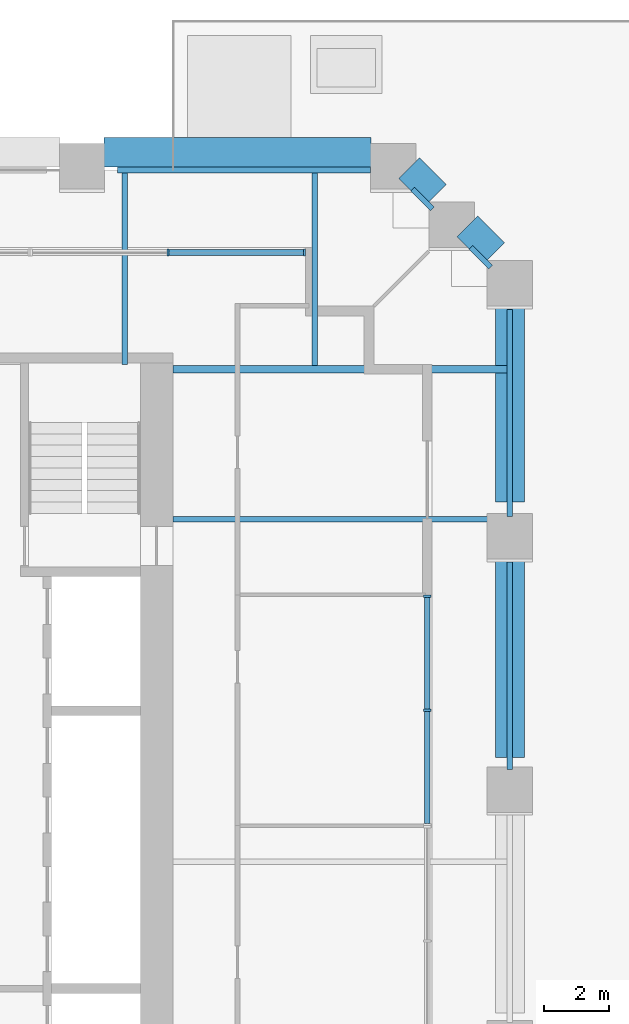
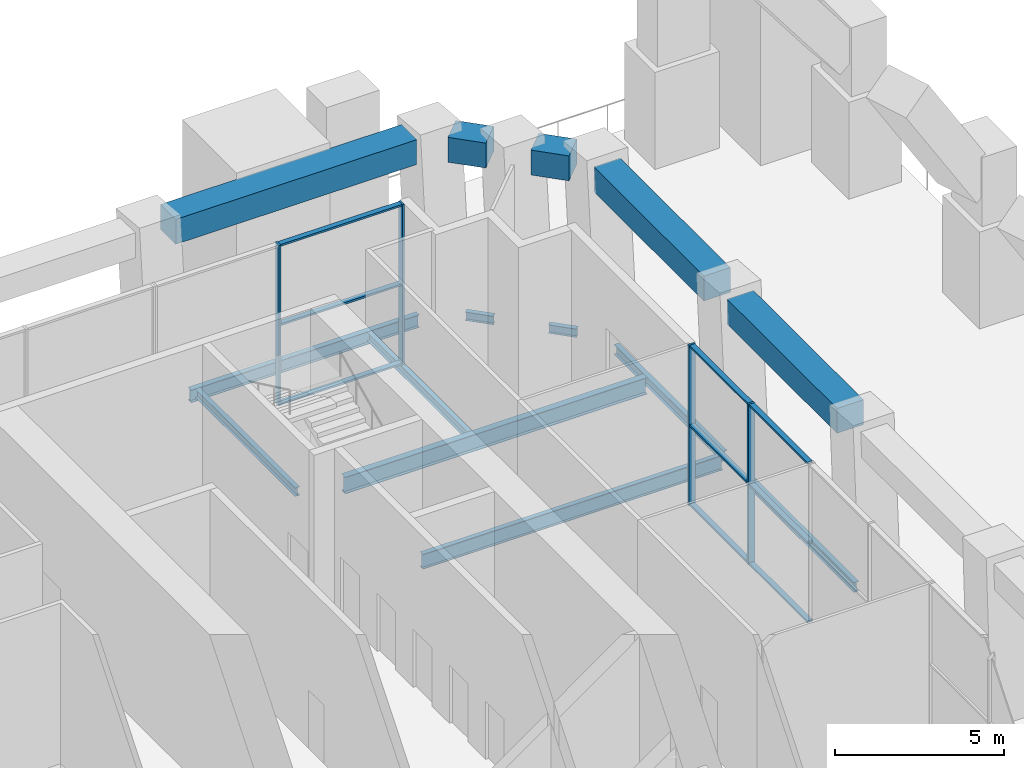
# One storey, part 9 of 20: 14 beams, 13 members, 2 elements without a shape of their own.
"""IFC4 building model written with IfcOpenShell, lengths in metres."""

from ifc_helpers import new_model, si_unit, direction, frame, origin, origin_2d, place, context, subcontext, project, spatial, rectangle, i_section, extrude, material, material_profile, profile_set, type_object, element, aggregate, save


model = new_model("IFC4")

# Units and contexts
model_context = context("Model", 3, precision=1e-05, world=origin(), true_north=direction((0.0, 1.0)))
body_context = subcontext(model_context, "Body", "Model", "MODEL_VIEW")
ifc_project = project(units=[si_unit("LENGTHUNIT", "METRE"), si_unit("AREAUNIT", "SQUARE_METRE"), si_unit("VOLUMEUNIT", "CUBIC_METRE"), si_unit("PLANEANGLEUNIT", "RADIAN"), si_unit("MASSUNIT", "GRAM", prefix="KILO")], contexts=[model_context])

# Site, building, storey
site_placement = place(None, origin())
site = spatial("IfcSite", under=ifc_project, at=site_placement, CompositionType="ELEMENT")
building_placement = place(site_placement, origin())
building = spatial("IfcBuilding", under=site, at=building_placement, Name="Ogive Exchange Tower", CompositionType="ELEMENT")
storey_placement = place(building_placement, frame((0.0, 0.0, 33.60009765625)))
storey = spatial("IfcBuildingStorey", under=building, at=storey_placement, Name="L06", CompositionType="ELEMENT", Elevation=33.60009765625)

# Beams
ifc_material_1 = material(Name="Steel ASTM A992 Gr50", Category="steel")
ifc_material_profile_1 = material_profile(ifc_material_1, i_section(OverallWidth=0.1650390625, OverallDepth=0.31005859375, WebThickness=0.005859375, FlangeThickness=0.009765625, at=origin_2d()), Name="W310x38.7")
ifc_profile_set_1 = profile_set([ifc_material_profile_1], Name="Steel ASTM A992 Gr50")
beam_type_1 = type_object("IfcBeamType", Name="Floor beam W310x38.7", PredefinedType="JOIST", material=ifc_profile_set_1)
beam_1_placement = place(storey_placement, frame((20.51953125, 25.39990234375, -0.60498046875), z_axis=(0.0, 1.0, 0.0), x_axis=(-1.0, 0.0, 0.0)))
element("IfcBeam", 1, at=beam_1_placement, inside=storey, type_object=beam_type_1, Name="Floor beam", PredefinedType="JOIST", context=body_context, shape_type="SweptSolid", body=[
    extrude(i_section(OverallWidth=0.1650390625, OverallDepth=0.31005859375, WebThickness=0.005859375, FlangeThickness=0.009765625, at=origin_2d()), origin(), (0.0, 0.0, 1.0), 5.904541015625),
])
beam_2_placement = place(storey_placement, frame((26.38232421875, 25.35888671875, -0.60498046875), z_axis=(0.0, 1.0, 0.0), x_axis=(-1.0, 0.0, 0.0)))
element("IfcBeam", 2, at=beam_2_placement, inside=storey, type_object=beam_type_1, Name="Floor beam", PredefinedType="JOIST", context=body_context, shape_type="SweptSolid", body=[
    extrude(i_section(OverallWidth=0.1650390625, OverallDepth=0.31005859375, WebThickness=0.005859375, FlangeThickness=0.009765625, at=origin_2d()), origin(), (0.0, 0.0, 1.0), 5.945556640625),
])
ifc_material_profile_2 = material_profile(ifc_material_1, i_section(OverallWidth=0.1669921875, OverallDepth=0.535888671875, WebThickness=0.01025390625, FlangeThickness=0.0166015625, at=origin_2d()), Name="W530x85")
ifc_profile_set_2 = profile_set([ifc_material_profile_2], Name="Steel ASTM A992 Gr50")
beam_type_2 = type_object("IfcBeamType", Name="Floor beam W530x85", PredefinedType="JOIST", material=ifc_profile_set_2)
beam_3_placement = place(storey_placement, frame((22.0, 20.62255859375, -0.718017578125), z_axis=(1.0, 0.0, 0.0), x_axis=(0.0, 1.0, 0.0)))
element("IfcBeam", 3, at=beam_3_placement, inside=storey, type_object=beam_type_2, Name="Floor beam", PredefinedType="JOIST", context=body_context, shape_type="SweptSolid", body=[
    extrude(i_section(OverallWidth=0.1669921875, OverallDepth=0.535888671875, WebThickness=0.01025390625, FlangeThickness=0.0166015625, at=origin_2d()), origin(), (0.0, 0.0, 1.0), 10.2451171875),
])
ifc_material_profile_3 = material_profile(ifc_material_1, i_section(OverallWidth=0.1650390625, OverallDepth=0.31005859375, WebThickness=0.005859375, FlangeThickness=0.009765625, at=origin_2d()), Name="W310x38.7")
ifc_profile_set_3 = profile_set([ifc_material_profile_3], Name="Steel ASTM A992 Gr50")
beam_type_3 = type_object("IfcBeamType", Name="Girder W310x38.7", PredefinedType="BEAM", material=ifc_profile_set_3)
for number, where, z_axis, x_axis, name in (
    (4, (31.805908203125, 28.39404296875, -0.60498046875), (-0.706965712506, 0.707247821729, 0.0), (-0.707247821729, -0.706965712506, 0.0), "Girder"),
    (5, (30.006103515625, 30.194091796875, -0.60498046875), (-0.707247821729, 0.706965712506, 0.0), (-0.706965712506, -0.707247821729, 0.0), "Girder"),
):
    element("IfcBeam", number, at=place(storey_placement, frame(where, z_axis=z_axis, x_axis=x_axis)), inside=storey, type_object=beam_type_3, Name=name, PredefinedType="BEAM", context=body_context, shape_type="SweptSolid", body=[
        extrude(i_section(OverallWidth=0.1650390625, OverallDepth=0.31005859375, WebThickness=0.005859375, FlangeThickness=0.009765625, at=origin_2d()), origin(), (0.0, 0.0, 1.0), 0.865478515625),
    ])
ifc_material_profile_4 = material_profile(ifc_material_1, i_section(OverallWidth=0.1708984375, OverallDepth=0.35595703125, WebThickness=0.00732421875, FlangeThickness=0.01171875, at=origin_2d()), Name="W360x51")
ifc_profile_set_4 = profile_set([ifc_material_profile_4], Name="Steel ASTM A992 Gr50")
beam_type_4 = type_object("IfcBeamType", Name="Girder W360x51", PredefinedType="BEAM", material=ifc_profile_set_4)
for number, where, z_axis, x_axis, name in (
    (6, (32.39990234375, 12.89990234375, -0.628173828125), (0.0, 1.0, 0.0), (-1.0, 0.0, 0.0), "Girder"),
    (7, (32.39990234375, 20.699951171875, -0.628173828125), (0.0, 1.0, 0.0), (-1.0, 0.0, 0.0), "Girder"),
):
    element("IfcBeam", number, at=place(storey_placement, frame(where, z_axis=z_axis, x_axis=x_axis)), inside=storey, type_object=beam_type_4, Name=name, PredefinedType="BEAM", context=body_context, shape_type="SweptSolid", body=[
        extrude(i_section(OverallWidth=0.1708984375, OverallDepth=0.35595703125, WebThickness=0.00732421875, FlangeThickness=0.01171875, at=origin_2d()), origin(), (0.0, 0.0, 1.0), 6.400146484375),
    ])
ifc_material_profile_5 = material_profile(ifc_material_1, i_section(OverallWidth=0.19091796875, OverallDepth=0.45703125, WebThickness=0.009033203125, FlangeThickness=0.014404296875, at=origin_2d()), Name="W460x74")
ifc_profile_set_5 = profile_set([ifc_material_profile_5], Name="Steel ASTM A992 Gr50")
beam_type_5 = type_object("IfcBeamType", Name="Girder W460x74", PredefinedType="BEAM", material=ifc_profile_set_5)
beam_4_placement = place(storey_placement, frame((28.10009765625, 31.39990234375, -0.6787109375), z_axis=(-1.0, 0.0, 0.0), x_axis=(0.0, -1.0, 0.0)))
element("IfcBeam", 8, at=beam_4_placement, inside=storey, type_object=beam_type_5, Name="Girder", PredefinedType="BEAM", context=body_context, shape_type="SweptSolid", body=[
    extrude(i_section(OverallWidth=0.19091796875, OverallDepth=0.45703125, WebThickness=0.009033203125, FlangeThickness=0.014404296875, at=origin_2d()), origin(), (0.0, 0.0, 1.0), 7.800048828125),
])
ifc_material_profile_6 = material_profile(ifc_material_1, i_section(OverallWidth=0.22802734375, OverallDepth=0.60205078125, WebThickness=0.010498046875, FlangeThickness=0.014892578125, at=origin_2d()), Name="W610x101")
ifc_profile_set_6 = profile_set([ifc_material_profile_6], Name="Steel ASTM A992 Gr50")
beam_type_6 = type_object("IfcBeamType", Name="Girder W610x101", PredefinedType="BEAM", material=ifc_profile_set_6)
beam_5_placement = place(storey_placement, frame((22.0, 25.2451171875, -0.7509765625), z_axis=(1.0, 0.0, 0.0), x_axis=(0.0, 1.0, 0.0)))
element("IfcBeam", 9, at=beam_5_placement, inside=storey, type_object=beam_type_6, Name="Header girder", PredefinedType="BEAM", context=body_context, shape_type="SweptSolid", body=[
    extrude(i_section(OverallWidth=0.22802734375, OverallDepth=0.60205078125, WebThickness=0.010498046875, FlangeThickness=0.014892578125, at=origin_2d()), origin(), (0.0, 0.0, 1.0), 10.314453125),
])
ifc_material_2 = material(Name="Precast concrete C70/85 (limestone faced)", Category="masonry")
ifc_material_profile_7 = material_profile(ifc_material_2, rectangle(XDim=0.89990234375, YDim=0.89990234375, at=origin_2d()), Name="900 x 900")
ifc_profile_set_7 = profile_set([ifc_material_profile_7], Name="Precast concrete C70/85 (limestone faced)")
beam_type_7 = type_object("IfcBeamType", Name="Precast spandrel 900 x 900 C70/85", PredefinedType="SPANDREL", material=ifc_profile_set_7)
for number, where, z_axis, x_axis, name in (
    (10, (32.39990234375, 13.26953125, 5.2998046875), (0.0, 1.0, 0.0), (-1.0, 0.0, 0.0), "Spandrel 14"),
    (11, (32.39990234375, 21.1474609375, 5.2998046875), (0.0, 1.0, 0.0), (-1.0, 0.0, 0.0), "Spandrel 15"),
):
    element("IfcBeam", number, at=place(storey_placement, frame(where, z_axis=z_axis, x_axis=x_axis)), inside=storey, type_object=beam_type_7, Name=name, PredefinedType="SPANDREL", context=body_context, shape_type="SweptSolid", body=[
        extrude(rectangle(XDim=0.89990234375, YDim=0.89990234375, at=origin_2d()), origin(), (0.0, 0.0, 1.0), 6.51806640625),
    ])
beam_6_placement = place(storey_placement, frame((31.912109375, 28.833251953125, 5.2998046875), z_axis=(-0.707002063412, 0.707211483455, 0.0), x_axis=(-0.707211483455, -0.707002063412, 0.0)))
element("IfcBeam", 12, at=beam_6_placement, inside=storey, type_object=beam_type_7, Name="Spandrel 16", PredefinedType="SPANDREL", context=body_context, shape_type="SweptSolid", body=[
    extrude(rectangle(XDim=0.89990234375, YDim=0.89990234375, at=origin_2d()), origin(), (0.0, 0.0, 1.0), 1.165771484375),
])
beam_7_placement = place(storey_placement, frame((30.112060546875, 30.63330078125, 5.2998046875), z_axis=(-0.707106781187, 0.707106781187, 0.0), x_axis=(-0.707106781187, -0.707106781187, 0.0)))
element("IfcBeam", 13, at=beam_7_placement, inside=storey, type_object=beam_type_7, Name="Spandrel 17", PredefinedType="SPANDREL", context=body_context, shape_type="SweptSolid", body=[
    extrude(rectangle(XDim=0.89990234375, YDim=0.89990234375, at=origin_2d()), origin(), (0.0, 0.0, 1.0), 1.16552734375),
])
beam_8_placement = place(storey_placement, frame((28.1201171875, 31.945556640625, 5.2998046875), z_axis=(-1.0, 0.0, 0.0), x_axis=(0.0, -1.0, 0.0)))
element("IfcBeam", 14, at=beam_8_placement, inside=storey, type_object=beam_type_7, Name="Spandrel 18", PredefinedType="SPANDREL", context=body_context, shape_type="SweptSolid", body=[
    extrude(rectangle(XDim=0.89990234375, YDim=0.89990234375, at=origin_2d()), origin(), (0.0, 0.0, 1.0), 8.240234375),
])

# Curtain wall, members
ifc_material_3 = material(Name="Anodised aluminium and clear glass", Category="aluminium")
curtain_wall_type = type_object("IfcCurtainWallType", Name="Sky lobby glazing", PredefinedType="NOTDEFINED", material=ifc_material_3)
curtain_wall_1_placement = place(storey_placement, origin())
curtain_wall_1 = element("IfcCurtainWall", 15, at=curtain_wall_1_placement, inside=storey, type_object=curtain_wall_type, Name="Sky lobby glazing run G12", PredefinedType="NOTDEFINED")
ifc_material_4 = material(Name="Anodised aluminium", Category="aluminium")
ifc_material_profile_8 = material_profile(ifc_material_4, rectangle(XDim=0.219970703125, YDim=0.070068359375, at=origin_2d()), Name="AL 70x220")
ifc_profile_set_8 = profile_set([ifc_material_profile_8], Name="Anodised aluminium")
member_type_1 = type_object("IfcMemberType", Name="Sky lobby glazing mullion 70 x 220", PredefinedType="MULLION", material=ifc_profile_set_8)
member_1_placement = place(storey_placement, frame((29.85009765625, 14.728515625, 0.0), z_axis=(0.0, 0.0, 1.0), x_axis=(-1.0, 0.0, 0.0)))
member_1 = element("IfcMember", 16, at=member_1_placement, type_object=member_type_1, Name="G12 mullion 2", PredefinedType="MULLION", context=body_context, shape_type="SweptSolid", body=[
    extrude(rectangle(XDim=0.219970703125, YDim=0.070068359375, at=origin_2d()), origin(), (0.0, 0.0, 1.0), 5.7998046875),
])
member_2_placement = place(storey_placement, frame((29.85009765625, 18.250732421875, 0.0), z_axis=(0.0, 0.0, 1.0), x_axis=(-1.0, 0.0, 0.0)))
member_2 = element("IfcMember", 17, at=member_2_placement, type_object=member_type_1, Name="G12 mullion 3", PredefinedType="MULLION", context=body_context, shape_type="SweptSolid", body=[
    extrude(rectangle(XDim=0.219970703125, YDim=0.070068359375, at=origin_2d()), origin(), (0.0, 0.0, 1.0), 5.7998046875),
])

curtain_wall_2_placement = place(storey_placement, origin())
curtain_wall_2 = element("IfcCurtainWall", 18, at=curtain_wall_2_placement, inside=storey, type_object=curtain_wall_type, Name="Sky lobby glazing run G14", PredefinedType="NOTDEFINED")
member_3_placement = place(storey_placement, frame((26.06494140625, 28.85009765625, 0.0), z_axis=(0.0, 0.0, 1.0), x_axis=(0.0, -1.0, 0.0)))
member_3 = element("IfcMember", 19, at=member_3_placement, type_object=member_type_1, Name="G14 mullion 1", PredefinedType="MULLION", context=body_context, shape_type="SweptSolid", body=[
    extrude(rectangle(XDim=0.219970703125, YDim=0.070068359375, at=origin_2d()), origin(), (0.0, 0.0, 1.0), 5.7998046875),
])
member_4_placement = place(storey_placement, frame((21.85009765625, 28.85009765625, 0.0), z_axis=(0.0, 0.0, 1.0), x_axis=(0.0, -1.0, 0.0)))
member_4 = element("IfcMember", 20, at=member_4_placement, type_object=member_type_1, Name="G14 mullion 2", PredefinedType="MULLION", context=body_context, shape_type="SweptSolid", body=[
    extrude(rectangle(XDim=0.219970703125, YDim=0.070068359375, at=origin_2d()), origin(), (0.0, 0.0, 1.0), 5.7998046875),
])

# Member
ifc_material_profile_9 = material_profile(ifc_material_4, rectangle(XDim=0.179931640625, YDim=0.070068359375, at=origin_2d()), Name="AL 70x180")
ifc_profile_set_9 = profile_set([ifc_material_profile_9], Name="Anodised aluminium")
member_type_2 = type_object("IfcMemberType", Name="Sky lobby glazing transom 70 x 180", PredefinedType="USERDEFINED", material=ifc_profile_set_9)
member_5_placement = place(storey_placement, frame((29.85009765625, 11.241455078125, 0.034912109375), z_axis=(0.0, 1.0, 0.0), x_axis=(-1.0, 0.0, 0.0)))
member_5 = element("IfcMember", 21, at=member_5_placement, type_object=member_type_2, Name="G12 transom 1.1", ObjectType="TRANSOM", PredefinedType="USERDEFINED", context=body_context, shape_type="SweptSolid", body=[
    extrude(rectangle(XDim=0.179931640625, YDim=0.070068359375, at=origin_2d()), origin(), (0.0, 0.0, 1.0), 3.4521484375),
])

member_6_placement = place(storey_placement, frame((29.85009765625, 11.241455078125, 2.89990234375), z_axis=(0.0, 1.0, 0.0), x_axis=(-1.0, 0.0, 0.0)))
member_6 = element("IfcMember", 22, at=member_6_placement, type_object=member_type_2, Name="G12 transom 1.2", ObjectType="TRANSOM", PredefinedType="USERDEFINED", context=body_context, shape_type="SweptSolid", body=[
    extrude(rectangle(XDim=0.179931640625, YDim=0.070068359375, at=origin_2d()), origin(), (0.0, 0.0, 1.0), 3.4521484375),
])

member_7_placement = place(storey_placement, frame((29.85009765625, 11.241455078125, 5.764892578125), z_axis=(0.0, 1.0, 0.0), x_axis=(-1.0, 0.0, 0.0)))
member_7 = element("IfcMember", 23, at=member_7_placement, type_object=member_type_2, Name="G12 transom 1.3", ObjectType="TRANSOM", PredefinedType="USERDEFINED", context=body_context, shape_type="SweptSolid", body=[
    extrude(rectangle(XDim=0.179931640625, YDim=0.070068359375, at=origin_2d()), origin(), (0.0, 0.0, 1.0), 3.4521484375),
])

member_8_placement = place(storey_placement, frame((29.85009765625, 14.763671875, 0.034912109375), z_axis=(0.0, 1.0, 0.0), x_axis=(-1.0, 0.0, 0.0)))
member_8 = element("IfcMember", 24, at=member_8_placement, type_object=member_type_2, Name="G12 transom 2.1", ObjectType="TRANSOM", PredefinedType="USERDEFINED", context=body_context, shape_type="SweptSolid", body=[
    extrude(rectangle(XDim=0.179931640625, YDim=0.070068359375, at=origin_2d()), origin(), (0.0, 0.0, 1.0), 3.4521484375),
])

member_9_placement = place(storey_placement, frame((29.85009765625, 14.763671875, 2.89990234375), z_axis=(0.0, 1.0, 0.0), x_axis=(-1.0, 0.0, 0.0)))
member_9 = element("IfcMember", 25, at=member_9_placement, type_object=member_type_2, Name="G12 transom 2.2", ObjectType="TRANSOM", PredefinedType="USERDEFINED", context=body_context, shape_type="SweptSolid", body=[
    extrude(rectangle(XDim=0.179931640625, YDim=0.070068359375, at=origin_2d()), origin(), (0.0, 0.0, 1.0), 3.4521484375),
])

member_10_placement = place(storey_placement, frame((29.85009765625, 14.763671875, 5.764892578125), z_axis=(0.0, 1.0, 0.0), x_axis=(-1.0, 0.0, 0.0)))
member_10 = element("IfcMember", 26, at=member_10_placement, type_object=member_type_2, Name="G12 transom 2.3", ObjectType="TRANSOM", PredefinedType="USERDEFINED", context=body_context, shape_type="SweptSolid", body=[
    extrude(rectangle(XDim=0.179931640625, YDim=0.070068359375, at=origin_2d()), origin(), (0.0, 0.0, 1.0), 3.4521484375),
])

aggregate(curtain_wall_1, [member_1, member_2, member_5, member_6, member_7, member_8, member_9, member_10])

member_11_placement = place(storey_placement, frame((26.030029296875, 28.85009765625, 0.034912109375), z_axis=(-1.0, 0.0, 0.0), x_axis=(0.0, -1.0, 0.0)))
member_11 = element("IfcMember", 27, at=member_11_placement, type_object=member_type_2, Name="G14 transom 1.1", ObjectType="TRANSOM", PredefinedType="USERDEFINED", context=body_context, shape_type="SweptSolid", body=[
    extrude(rectangle(XDim=0.179931640625, YDim=0.070068359375, at=origin_2d()), origin(), (0.0, 0.0, 1.0), 4.14501953125),
])

member_12_placement = place(storey_placement, frame((26.030029296875, 28.85009765625, 2.89990234375), z_axis=(-1.0, 0.0, 0.0), x_axis=(0.0, -1.0, 0.0)))
member_12 = element("IfcMember", 28, at=member_12_placement, type_object=member_type_2, Name="G14 transom 1.2", ObjectType="TRANSOM", PredefinedType="USERDEFINED", context=body_context, shape_type="SweptSolid", body=[
    extrude(rectangle(XDim=0.179931640625, YDim=0.070068359375, at=origin_2d()), origin(), (0.0, 0.0, 1.0), 4.14501953125),
])

member_13_placement = place(storey_placement, frame((26.030029296875, 28.85009765625, 5.764892578125), z_axis=(-1.0, 0.0, 0.0), x_axis=(0.0, -1.0, 0.0)))
member_13 = element("IfcMember", 29, at=member_13_placement, type_object=member_type_2, Name="G14 transom 1.3", ObjectType="TRANSOM", PredefinedType="USERDEFINED", context=body_context, shape_type="SweptSolid", body=[
    extrude(rectangle(XDim=0.179931640625, YDim=0.070068359375, at=origin_2d()), origin(), (0.0, 0.0, 1.0), 4.14501953125),
])

aggregate(curtain_wall_2, [member_3, member_4, member_11, member_12, member_13])

save(model, "model.ifc")
